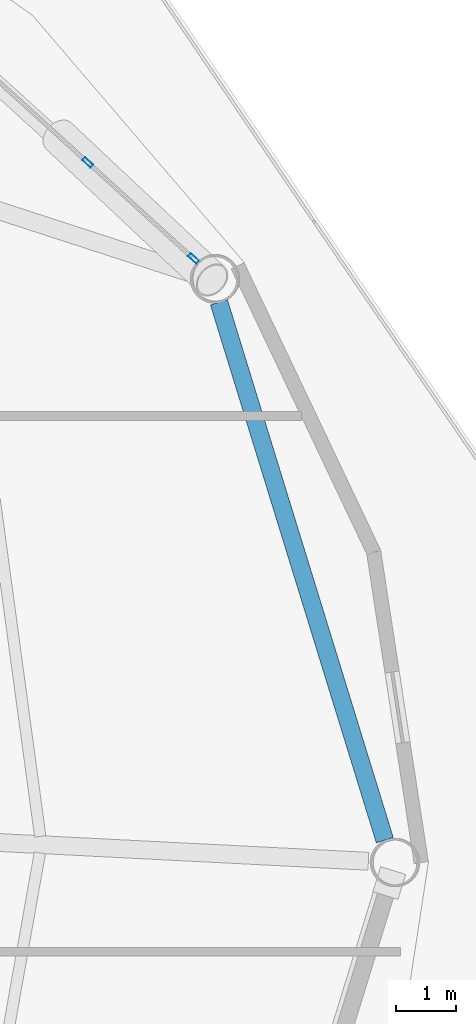
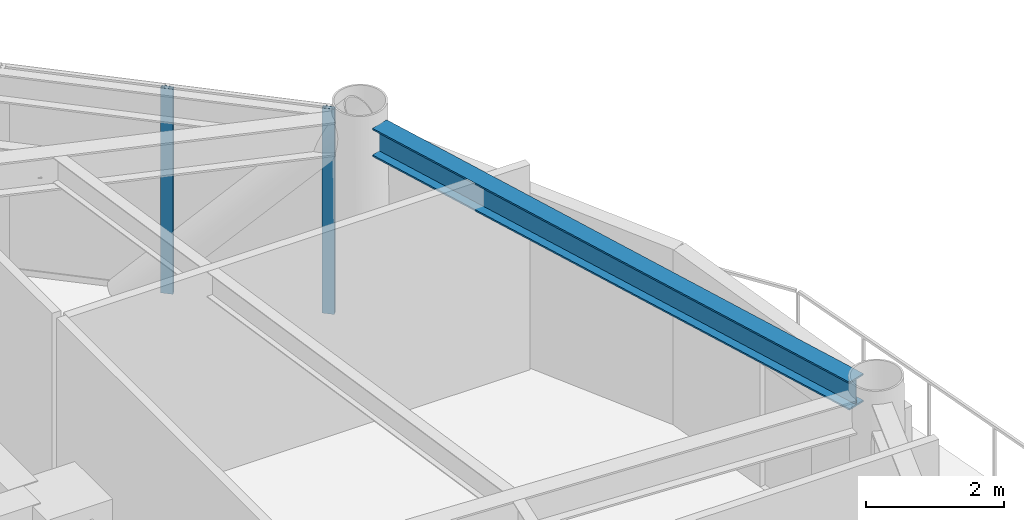
# One storey, part 15 of 26: 2 members, 1 beam, 1 element without a shape of its own.
"""IFC4 building model written with IfcOpenShell, lengths in metres."""

from ifc_helpers import new_model, si_unit, direction, frame, origin, origin_2d, place, context, subcontext, project, spatial, hollow_rectangle, i_section, extrude, material, layer, layer_set, material_profile, profile_set, type_object, element, aggregate, save


model = new_model("IFC4")

# Units and contexts
model_context = context("Model", 3, precision=1e-05, world=origin(), true_north=direction((0.0, 1.0)))
body_context = subcontext(model_context, "Body", "Model", "MODEL_VIEW")
ifc_project = project(units=[si_unit("LENGTHUNIT", "METRE"), si_unit("AREAUNIT", "SQUARE_METRE"), si_unit("VOLUMEUNIT", "CUBIC_METRE"), si_unit("PLANEANGLEUNIT", "RADIAN"), si_unit("MASSUNIT", "GRAM", prefix="KILO")], contexts=[model_context])

# Site, building, storey
site_placement = place(None, origin())
site = spatial("IfcSite", under=ifc_project, at=site_placement, CompositionType="ELEMENT")
building_placement = place(site_placement, origin())
building = spatial("IfcBuilding", under=site, at=building_placement, Name="Varnakorn Sky Granary", CompositionType="ELEMENT")
storey_placement = place(building_placement, frame((0.0, 0.0, 95.39990234375)))
storey = spatial("IfcBuildingStorey", under=building, at=storey_placement, Name="L23", CompositionType="ELEMENT", Elevation=95.39990234375)

# Beam
ifc_material_1 = material(Name="Steel S355JR", Category="steel")
ifc_material_profile_1 = material_profile(ifc_material_1, i_section(OverallWidth=0.300048828125, OverallDepth=0.5, WebThickness=0.014404296875, FlangeThickness=0.028076171875, at=origin_2d()), Name="HE 500 B")
ifc_profile_set_1 = profile_set([ifc_material_profile_1], Name="Steel S355JR")
beam_type = type_object("IfcBeamType", Name="BM-SPD-Z2", PredefinedType="SPANDREL", material=ifc_profile_set_1)
beam_placement = place(storey_placement, frame((20.03466796875, 0.3740234375, 3.39013671875), z_axis=(-0.294664442498, 0.955600788158, 0.0), x_axis=(-0.955600788158, -0.294664442498, 0.0)))
element("IfcBeam", 1, at=beam_placement, inside=storey, type_object=beam_type, Name="Perimeter Spandrel Ring Beam RB01 L23", PredefinedType="SPANDREL", context=body_context, shape_type="SweptSolid", body=[
    extrude(i_section(OverallWidth=0.300048828125, OverallDepth=0.5, WebThickness=0.014404296875, FlangeThickness=0.028076171875, at=origin_2d()), origin(), (0.0, 0.0, 1.0), 9.457763671875),
])

# Curtain wall, members
ifc_material_2 = material(Name="Anodised Bronze Aluminium Alloy 6063-T6", Category="aluminium")
ifc_layer = layer(ifc_material_2, 0.18994140625, Name="Anodised Bronze Aluminium Alloy 6063-T6")
ifc_layer_set = layer_set([ifc_layer], Name="Anodised Bronze Aluminium Alloy 6063-T6")
curtain_wall_type = type_object("IfcCurtainWallType", Name="CW-FRM-1", PredefinedType="USERDEFINED", material=ifc_layer_set)
curtain_wall_placement = place(storey_placement, origin())
curtain_wall = element("IfcCurtainWall", 2, at=curtain_wall_placement, inside=storey, type_object=curtain_wall_type, Name="Unitised Curtain Wall CW3 CW-L23-B02", ObjectType="CURTAIN WALL", PredefinedType="USERDEFINED")
ifc_material_profile_2 = material_profile(ifc_material_2, hollow_rectangle(XDim=0.070068359375, YDim=0.18505859375, WallThickness=0.00390625, at=origin_2d()), Name="ALU MULL 70x185")
ifc_profile_set_2 = profile_set([ifc_material_profile_2], Name="Anodised Bronze Aluminium Alloy 6063-T6")
member_type = type_object("IfcMemberType", Name="CW-FRM-1-MULL", PredefinedType="MULLION", material=ifc_profile_set_2)
member_1_placement = place(storey_placement, frame((15.043212890625, 11.76220703125, 0.0), z_axis=(0.0, 0.0, 1.0), x_axis=(0.67267177226, 0.739941002246, 0.0)))
member_1 = element("IfcMember", 3, at=member_1_placement, type_object=member_type, Name="CW3 mullion 4", PredefinedType="MULLION", context=body_context, shape_type="SweptSolid", body=[
    extrude(hollow_rectangle(XDim=0.070068359375, YDim=0.18505859375, WallThickness=0.00390625, at=origin_2d()), origin(), (0.0, 0.0, 1.0), 3.64013671875),
])
member_2_placement = place(storey_placement, frame((16.819580078125, 10.1474609375, 0.0), z_axis=(0.0, 0.0, 1.0), x_axis=(0.67267177226, 0.739941002246, 0.0)))
member_2 = element("IfcMember", 4, at=member_2_placement, type_object=member_type, Name="CW3 mullion 5", PredefinedType="MULLION", context=body_context, shape_type="SweptSolid", body=[
    extrude(hollow_rectangle(XDim=0.070068359375, YDim=0.18505859375, WallThickness=0.00390625, at=origin_2d()), origin(), (0.0, 0.0, 1.0), 3.64013671875),
])
aggregate(curtain_wall, [member_1, member_2])

save(model, "model.ifc")
